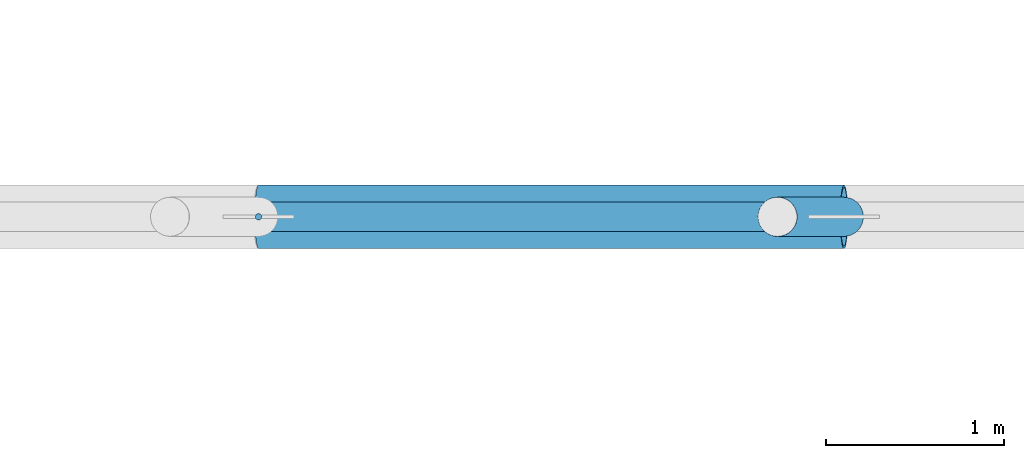
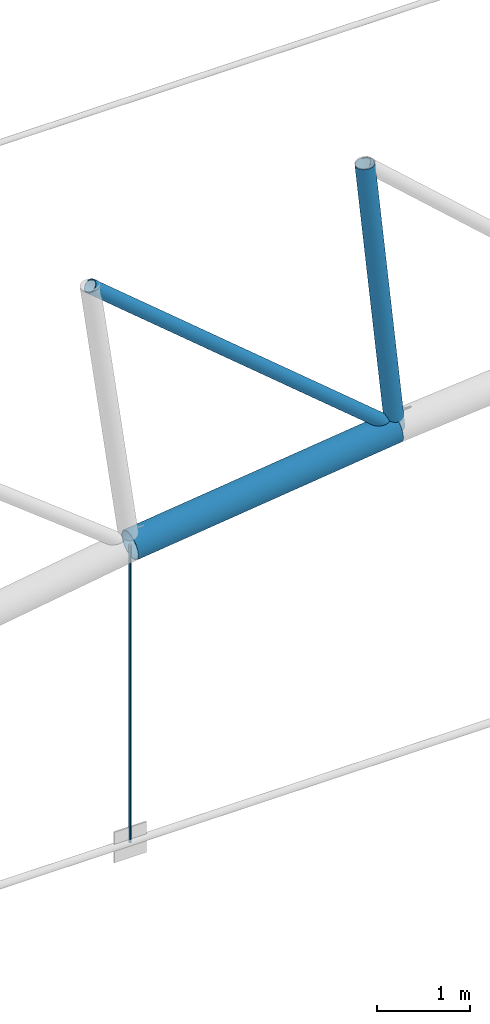
# One storey, part 169 of 321: 4 members.
"""IFC4 building model written with IfcOpenShell, lengths in metres."""

from ifc_helpers import new_model, si_unit, direction, frame, origin, origin_2d, place, context, subcontext, project, spatial, circle, hollow_circle, extrude, material, material_profile, profile_set, type_object, element, save


model = new_model("IFC4")

# Units and contexts
model_context = context("Model", 3, precision=1e-05, world=origin(), true_north=direction((0.0, 1.0)))
body_context = subcontext(model_context, "Body", "Model", "MODEL_VIEW")
ifc_project = project(units=[si_unit("LENGTHUNIT", "METRE"), si_unit("AREAUNIT", "SQUARE_METRE"), si_unit("VOLUMEUNIT", "CUBIC_METRE"), si_unit("PLANEANGLEUNIT", "RADIAN"), si_unit("MASSUNIT", "GRAM", prefix="KILO")], contexts=[model_context])

# Site, building, storey
site_placement = place(None, origin())
site = spatial("IfcSite", under=ifc_project, at=site_placement, CompositionType="ELEMENT")
building_placement = place(site_placement, origin())
building = spatial("IfcBuilding", under=site, at=building_placement, Name="Ravi Spectrum Wholesale Market", CompositionType="ELEMENT")
storey_placement = place(building_placement, frame((0.0, 0.0, 10.800048828125)))
storey = spatial("IfcBuildingStorey", under=building, at=storey_placement, Name="L02", CompositionType="ELEMENT", Elevation=10.800048828125)

# Members
ifc_material_1 = material(Name="Steel S355", Category="steel")
ifc_material_profile_1 = material_profile(ifc_material_1, hollow_circle(Radius=0.084228515625, WallThickness=0.00634765625, at=origin_2d()))
ifc_profile_set_1 = profile_set([ifc_material_profile_1], Name="Steel S355")
member_type_1 = type_object("IfcMemberType", Name="CHS 168.3x6.3 brace", PredefinedType="BRACE", material=ifc_profile_set_1)
member_1_placement = place(storey_placement, frame((56.321533203125, 174.0, 7.45458984375), z_axis=(0.766252893925, 0.0, -0.642539105854), x_axis=(0.0, 1.0, 0.0)))
element("IfcMember", 1, at=member_1_placement, inside=storey, type_object=member_type_1, Name="H1-MB-L02-1051", PredefinedType="BRACE", context=body_context, shape_type="SweptSolid", body=[
    extrude(hollow_circle(Radius=0.084228515625, WallThickness=0.00634765625, at=origin_2d()), origin(), (0.0, 0.0, 1.0), 4.9296875),
])
ifc_material_2 = material(Name="Steel S355", Category="steel")
ifc_material_profile_2 = material_profile(ifc_material_2, hollow_circle(Radius=0.109619140625, WallThickness=0.008056640625, at=origin_2d()))
ifc_profile_set_2 = profile_set([ifc_material_profile_2], Name="Steel S355")
member_type_2 = type_object("IfcMemberType", Name="CHS 219.1x8 post", PredefinedType="POST", material=ifc_profile_set_2)
member_2_placement = place(storey_placement, frame((59.726806640625, 174.0, 7.867919921875), z_axis=(0.103350310801, 0.0, -0.994645018716), x_axis=(0.0, 1.0, 0.0)))
element("IfcMember", 2, at=member_2_placement, inside=storey, type_object=member_type_2, Name="H1-MB-L02-1029", PredefinedType="POST", context=body_context, shape_type="SweptSolid", body=[
    extrude(hollow_circle(Radius=0.109619140625, WallThickness=0.008056640625, at=origin_2d()), origin(), (0.0, 0.0, 1.0), 3.60009765625),
])
ifc_material_3 = material(Name="Steel S355", Category="steel")
ifc_material_profile_3 = material_profile(ifc_material_3, hollow_circle(Radius=0.177734375, WallThickness=0.012451171875, at=origin_2d()))
ifc_profile_set_3 = profile_set([ifc_material_profile_3], Name="Steel S355")
member_type_3 = type_object("IfcMemberType", Name="CHS 355.6x12.5 chord", PredefinedType="CHORD", material=ifc_profile_set_3)
member_3_placement = place(storey_placement, frame((56.81689453125, 174.0, 3.888916015625), z_axis=(0.99272014244, 0.0, 0.120443840833), x_axis=(0.0, 1.0, 0.0)))
element("IfcMember", 3, at=member_3_placement, inside=storey, type_object=member_type_3, Name="H1-MB-L02-1005", PredefinedType="CHORD", context=body_context, shape_type="SweptSolid", body=[
    extrude(hollow_circle(Radius=0.177734375, WallThickness=0.012451171875, at=origin_2d()), origin(), (0.0, 0.0, 1.0), 3.30615234375),
])
ifc_material_4 = material(Name="Steel S355", Category="steel")
ifc_material_profile_4 = material_profile(ifc_material_4, circle(Radius=0.01806640625, at=origin_2d()))
ifc_profile_set_4 = profile_set([ifc_material_profile_4], Name="Steel S355")
member_type_4 = type_object("IfcMemberType", Name="ROD 36 hanger", PredefinedType="STRUT", material=ifc_profile_set_4)
member_4_placement = place(storey_placement, frame((56.81689453125, 174.0, 0.0), z_axis=(0.0, 0.0, 1.0), x_axis=(1.0, 0.0, 0.0)))
element("IfcMember", 4, at=member_4_placement, inside=storey, type_object=member_type_4, Name="H1-MB-L02-1068", PredefinedType="STRUT", context=body_context, shape_type="SweptSolid", body=[
    extrude(circle(Radius=0.01806640625, at=origin_2d()), origin(), (0.0, 0.0, 1.0), 3.888916015625),
])

save(model, "model.ifc")
